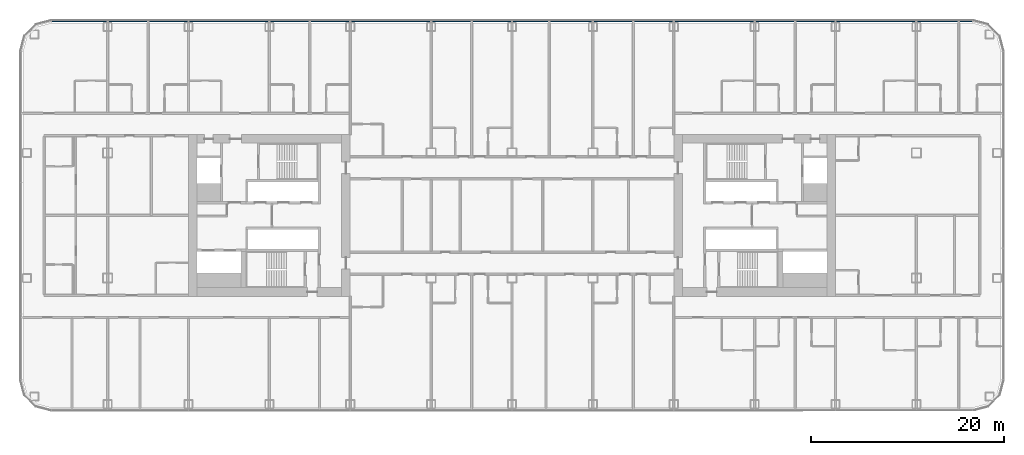
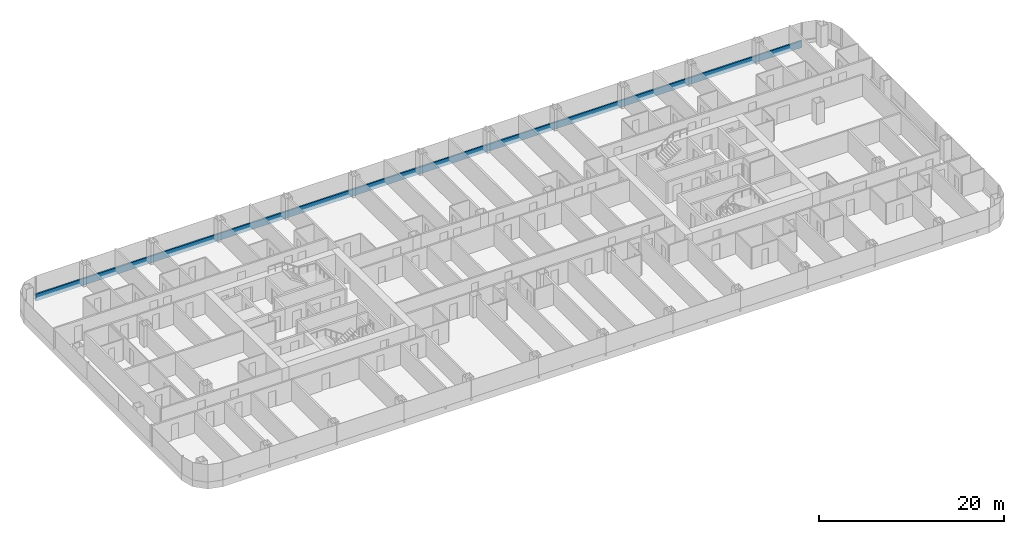
# One storey, part 8 of 28: 1 member, 1 element without a shape of its own.
"""IFC4 building model written with IfcOpenShell, lengths in metres."""

from ifc_helpers import new_model, si_unit, direction, frame, origin, origin_2d, place, context, subcontext, project, spatial, rectangle, extrude, material, layer, layer_set, material_profile, profile_set, type_object, element, aggregate, save


model = new_model("IFC4")

# Units and contexts
model_context = context("Model", 3, precision=1e-05, world=origin(), true_north=direction((0.0, 1.0)))
body_context = subcontext(model_context, "Body", "Model", "MODEL_VIEW")
ifc_project = project(units=[si_unit("LENGTHUNIT", "METRE"), si_unit("AREAUNIT", "SQUARE_METRE"), si_unit("VOLUMEUNIT", "CUBIC_METRE"), si_unit("PLANEANGLEUNIT", "RADIAN"), si_unit("MASSUNIT", "GRAM", prefix="KILO")], contexts=[model_context])

# Site, building, storey
site_placement = place(None, origin())
site = spatial("IfcSite", under=ifc_project, at=site_placement, CompositionType="ELEMENT")
building_placement = place(site_placement, origin())
building = spatial("IfcBuilding", under=site, at=building_placement, Name="Hakoniwa Tower and Hamabe Station Hall", CompositionType="ELEMENT")
storey_placement = place(building_placement, frame((0.0, 0.0, 42.199951171875)))
storey = spatial("IfcBuildingStorey", under=building, at=storey_placement, Name="L11", CompositionType="ELEMENT", Elevation=42.199951171875)

# Curtain wall, member
ifc_material_1 = material(Name="Dark low-e laminated glass", Category="glass")
ifc_layer = layer(ifc_material_1, 0.199951171875)
ifc_layer_set = layer_set([ifc_layer], Name="CW-1 UNITISED GUEST")
curtain_wall_type = type_object("IfcCurtainWallType", Name="CW-1 UNITISED GUEST", PredefinedType="NOTDEFINED", material=ifc_layer_set)
curtain_wall_placement = place(storey_placement, origin())
curtain_wall = element("IfcCurtainWall", 1, at=curtain_wall_placement, inside=storey, type_object=curtain_wall_type, Name="CW-1 curtain wall", PredefinedType="NOTDEFINED")
ifc_material_2 = material(Name="Aluminium 6063-T5 black anodised", Category="aluminium")
ifc_material_profile = material_profile(ifc_material_2, rectangle(XDim=0.199951171875, YDim=0.89990234375, at=origin_2d()), Name="CW SLAB-EDGE BAND 900X200")
ifc_profile_set = profile_set([ifc_material_profile], Name="Aluminium 6063-T5 black anodised")
member_type = type_object("IfcMemberType", Name="CW SLAB-EDGE BAND 900X200", PredefinedType="USERDEFINED", material=ifc_profile_set)
member_placement = place(storey_placement, frame((47.839599609375, 20.199951171875, -0.099853515625), z_axis=(-1.0, 0.0, 0.0), x_axis=(0.0, -1.0, 0.0)))
member = element("IfcMember", 2, at=member_placement, type_object=member_type, Name="CW-1 transom", ObjectType="TRANSOM", PredefinedType="USERDEFINED", context=body_context, shape_type="SweptSolid", body=[
    extrude(rectangle(XDim=0.199951171875, YDim=0.89990234375, at=origin_2d()), origin(), (0.0, 0.0, 1.0), 95.67919921875),
])
aggregate(curtain_wall, [member])

save(model, "model.ifc")
